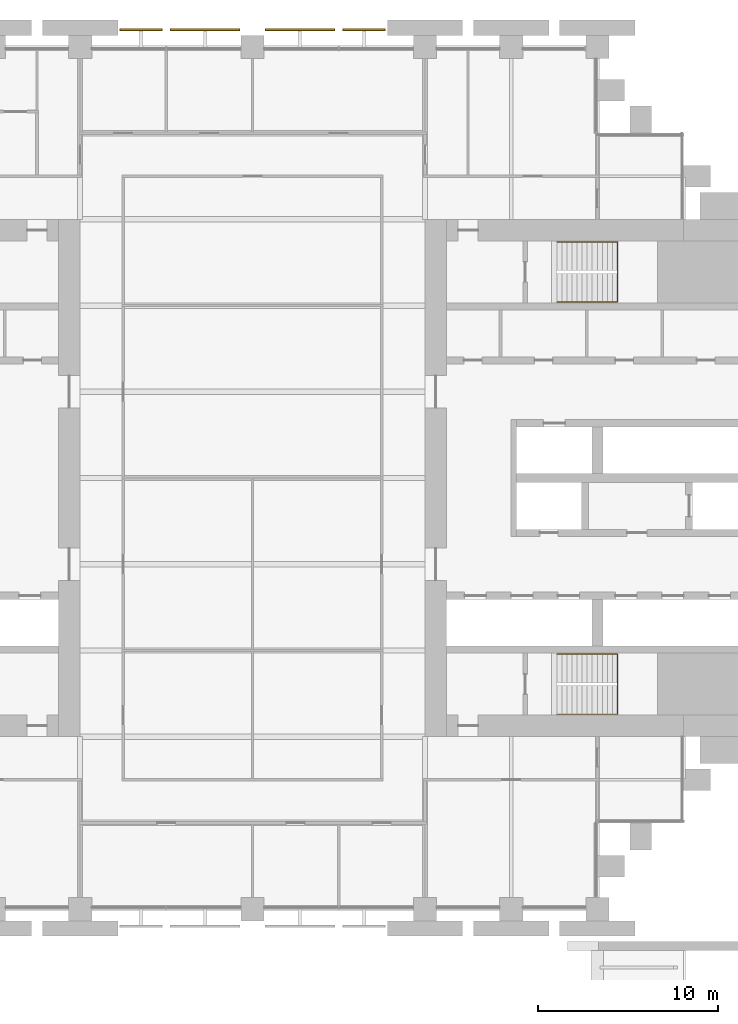
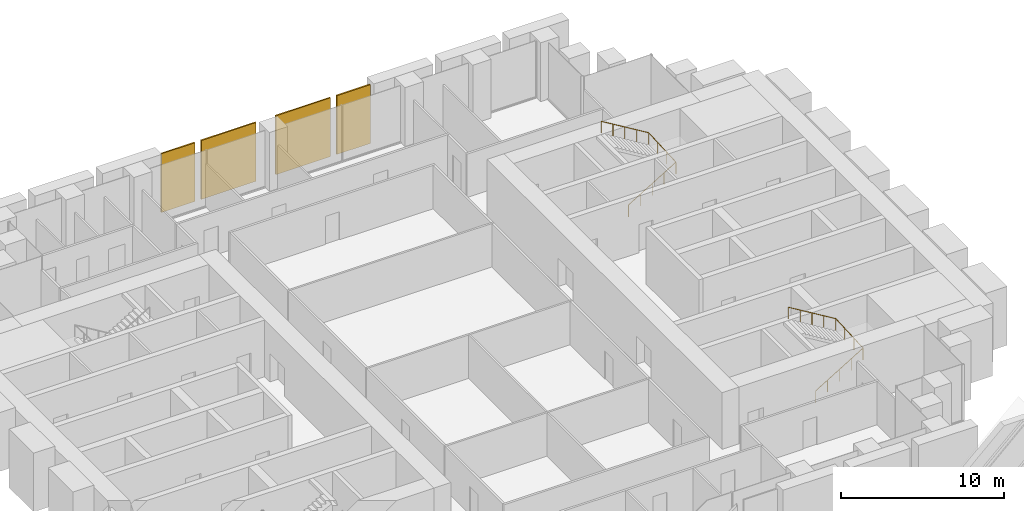
# One storey, part 30 of 30: 4 coverings, 2 railings.
"""IFC4 building model written with IfcOpenShell, lengths in metres."""

from ifc_helpers import new_model, si_unit, direction, frame, origin, origin_2d, place, context, subcontext, project, spatial, polyline, circle, outline, extrude, material, layer, layer_set, type_object, element, save


model = new_model("IFC4")

# Units and contexts
model_context = context("Model", 3, precision=1e-05, world=origin(), true_north=direction((0.0, 1.0)))
body_context = subcontext(model_context, "Body", "Model", "MODEL_VIEW")
ifc_project = project(units=[si_unit("LENGTHUNIT", "METRE"), si_unit("AREAUNIT", "SQUARE_METRE"), si_unit("VOLUMEUNIT", "CUBIC_METRE"), si_unit("PLANEANGLEUNIT", "RADIAN"), si_unit("MASSUNIT", "GRAM", prefix="KILO")], contexts=[model_context])

# Site, building, storey
site_placement = place(None, origin())
site = spatial("IfcSite", under=ifc_project, at=site_placement, CompositionType="ELEMENT")
building_placement = place(site_placement, origin())
building = spatial("IfcBuilding", under=site, at=building_placement, Name="Baori Bourse Tower", CompositionType="ELEMENT")
storey_placement = place(building_placement, frame((0.0, 0.0, 17.0)))
storey = spatial("IfcBuildingStorey", under=building, at=storey_placement, Name="L02", CompositionType="ELEMENT", Elevation=17.0)

# Railings
ifc_material_1 = material(Name="Powder-coated steel balustrade", Category="steel")
railing_type = type_object("IfcRailingType", Name="Core stair handrail", PredefinedType="HANDRAIL", material=ifc_material_1)
railing_1_placement = place(storey_placement, frame((45.75, 10.85009765625, 0.169189453125)))
element("IfcRailing", 1, at=railing_1_placement, inside=storey, type_object=railing_type, Name="L02 ST3 stair handrail 1", PredefinedType="HANDRAIL", context=body_context, shape_type="SweptSolid", body=[
    extrude(circle(Radius=0.02392578125, at=origin_2d()), frame((0.0, 0.0, 0.8759765625), z_axis=(0.855836976705, 0.0, 0.517245656632), x_axis=(0.0, 1.0, 0.0)), (0.0, 0.0, 1.0), 3.926025390625),
    extrude(circle(Radius=0.02392578125, at=origin_2d()), frame((3.360107421875, 0.0, 2.90673828125), z_axis=(0.0, 0.998726980575, 0.050442227064), x_axis=(-1.0, 0.0, 0.0)), (0.0, 0.0, 1.0), 3.35400390625),
    extrude(circle(Radius=0.02392578125, at=origin_2d()), frame((3.360107421875, 3.349853515625, 3.07568359375), z_axis=(-0.855836976705, 0.0, 0.517245656632), x_axis=(0.0, -1.0, 0.0)), (0.0, 0.0, 1.0), 3.926025390625),
    extrude(circle(Radius=0.02099609375, at=origin_2d()), origin(), (0.0, 0.0, 1.0), 0.851806640625),
    extrude(circle(Radius=0.02099609375, at=origin_2d()), frame((0.840087890625, 0.0, 0.5078125)), (0.0, 0.0, 1.0), 0.851806640625),
    extrude(circle(Radius=0.02099609375, at=origin_2d()), frame((1.68017578125, 0.0, 1.015380859375)), (0.0, 0.0, 1.0), 0.851806640625),
    extrude(circle(Radius=0.02099609375, at=origin_2d()), frame((2.52001953125, 0.0, 1.52294921875)), (0.0, 0.0, 1.0), 0.851806640625),
    extrude(circle(Radius=0.02099609375, at=origin_2d()), frame((3.360107421875, 0.0, 2.03076171875)), (0.0, 0.0, 1.0), 0.851806640625),
    extrude(circle(Radius=0.02099609375, at=origin_2d()), frame((3.360107421875, 1.11669921875, 2.087158203125)), (0.0, 0.0, 1.0), 0.851806640625),
    extrude(circle(Radius=0.02099609375, at=origin_2d()), frame((3.360107421875, 2.233154296875, 2.1435546875)), (0.0, 0.0, 1.0), 0.851806640625),
    extrude(circle(Radius=0.02099609375, at=origin_2d()), frame((3.360107421875, 3.349853515625, 2.199951171875)), (0.0, 0.0, 1.0), 0.851806640625),
    extrude(circle(Radius=0.02099609375, at=origin_2d()), frame((2.52001953125, 3.349853515625, 2.70751953125)), (0.0, 0.0, 1.0), 0.851806640625),
    extrude(circle(Radius=0.02099609375, at=origin_2d()), frame((1.68017578125, 3.349853515625, 3.21533203125)), (0.0, 0.0, 1.0), 0.851806640625),
    extrude(circle(Radius=0.02099609375, at=origin_2d()), frame((0.840087890625, 3.349853515625, 3.72314453125)), (0.0, 0.0, 1.0), 0.851806640625),
    extrude(circle(Radius=0.02099609375, at=origin_2d()), frame((0.0, 3.349853515625, 4.230712890625)), (0.0, 0.0, 1.0), 0.851806640625),
])
railing_2_placement = place(storey_placement, frame((45.75, 33.800048828125, 0.169189453125)))
element("IfcRailing", 2, at=railing_2_placement, inside=storey, type_object=railing_type, Name="L02 ST4 stair handrail 1", PredefinedType="HANDRAIL", context=body_context, shape_type="SweptSolid", body=[
    extrude(circle(Radius=0.02392578125, at=origin_2d()), frame((0.0, 0.0, 0.8759765625), z_axis=(0.855836976705, 0.0, 0.517245656632), x_axis=(0.0, 1.0, 0.0)), (0.0, 0.0, 1.0), 3.926025390625),
    extrude(circle(Radius=0.02392578125, at=origin_2d()), frame((3.360107421875, 0.0, 2.90673828125), z_axis=(0.0, 0.998726980575, 0.050442227064), x_axis=(-1.0, 0.0, 0.0)), (0.0, 0.0, 1.0), 3.35400390625),
    extrude(circle(Radius=0.02392578125, at=origin_2d()), frame((3.360107421875, 3.349853515625, 3.07568359375), z_axis=(-0.855836976705, 0.0, 0.517245656632), x_axis=(0.0, -1.0, 0.0)), (0.0, 0.0, 1.0), 3.926025390625),
    extrude(circle(Radius=0.02099609375, at=origin_2d()), origin(), (0.0, 0.0, 1.0), 0.851806640625),
    extrude(circle(Radius=0.02099609375, at=origin_2d()), frame((0.840087890625, 0.0, 0.5078125)), (0.0, 0.0, 1.0), 0.851806640625),
    extrude(circle(Radius=0.02099609375, at=origin_2d()), frame((1.68017578125, 0.0, 1.015380859375)), (0.0, 0.0, 1.0), 0.851806640625),
    extrude(circle(Radius=0.02099609375, at=origin_2d()), frame((2.52001953125, 0.0, 1.52294921875)), (0.0, 0.0, 1.0), 0.851806640625),
    extrude(circle(Radius=0.02099609375, at=origin_2d()), frame((3.360107421875, 0.0, 2.03076171875)), (0.0, 0.0, 1.0), 0.851806640625),
    extrude(circle(Radius=0.02099609375, at=origin_2d()), frame((3.360107421875, 1.11669921875, 2.087158203125)), (0.0, 0.0, 1.0), 0.851806640625),
    extrude(circle(Radius=0.02099609375, at=origin_2d()), frame((3.360107421875, 2.233154296875, 2.1435546875)), (0.0, 0.0, 1.0), 0.851806640625),
    extrude(circle(Radius=0.02099609375, at=origin_2d()), frame((3.360107421875, 3.349853515625, 2.199951171875)), (0.0, 0.0, 1.0), 0.851806640625),
    extrude(circle(Radius=0.02099609375, at=origin_2d()), frame((2.52001953125, 3.349853515625, 2.70751953125)), (0.0, 0.0, 1.0), 0.851806640625),
    extrude(circle(Radius=0.02099609375, at=origin_2d()), frame((1.68017578125, 3.349853515625, 3.21533203125)), (0.0, 0.0, 1.0), 0.851806640625),
    extrude(circle(Radius=0.02099609375, at=origin_2d()), frame((0.840087890625, 3.349853515625, 3.72314453125)), (0.0, 0.0, 1.0), 0.851806640625),
    extrude(circle(Radius=0.02099609375, at=origin_2d()), frame((0.0, 3.349853515625, 4.230712890625)), (0.0, 0.0, 1.0), 0.851806640625),
])

# Coverings
ifc_material_2 = material(Name="Pale anodised aluminium", Category="aluminium")
ifc_layer = layer(ifc_material_2, 0.10009765625)
ifc_layer_set = layer_set([ifc_layer], Name="OS3 Outer skin screen panel")
covering_type = type_object("IfcCoveringType", Name="OS3 Outer skin screen panel", PredefinedType="CLADDING", material=ifc_layer_set)
covering_1_placement = place(storey_placement, frame((0.0, 0.0, -0.159912109375)))
element("IfcCovering", 3, at=covering_1_placement, inside=storey, type_object=covering_type, Name="Outer skin screen L02 1", PredefinedType="CLADDING", context=body_context, shape_type="SweptSolid", body=[
    extrude(outline(polyline([(33.824951171875, 48.89990234375), (36.199951171875, 48.89990234375), (36.199951171875, 49.0), (33.824951171875, 49.0), (33.824951171875, 48.89990234375)])), origin(), (0.0, 0.0, 1.0), 4.39990234375),
])
covering_2_placement = place(storey_placement, frame((0.0, 0.0, -0.159912109375)))
element("IfcCovering", 4, at=covering_2_placement, inside=storey, type_object=covering_type, Name="Outer skin screen L02 2", PredefinedType="CLADDING", context=body_context, shape_type="SweptSolid", body=[
    extrude(outline(polyline([(29.5, 48.89990234375), (33.375, 48.89990234375), (33.375, 49.0), (29.5, 49.0), (29.5, 48.89990234375)])), origin(), (0.0, 0.0, 1.0), 4.39990234375),
])
covering_3_placement = place(storey_placement, frame((0.0, 0.0, -0.159912109375)))
element("IfcCovering", 5, at=covering_3_placement, inside=storey, type_object=covering_type, Name="Outer skin screen L02 3", PredefinedType="CLADDING", context=body_context, shape_type="SweptSolid", body=[
    extrude(outline(polyline([(24.22509765625, 48.89990234375), (28.10009765625, 48.89990234375), (28.10009765625, 49.0), (24.22509765625, 49.0), (24.22509765625, 48.89990234375)])), origin(), (0.0, 0.0, 1.0), 4.39990234375),
])
covering_4_placement = place(storey_placement, frame((0.0, 0.0, -0.159912109375)))
element("IfcCovering", 6, at=covering_4_placement, inside=storey, type_object=covering_type, Name="Outer skin screen L02 4", PredefinedType="CLADDING", context=body_context, shape_type="SweptSolid", body=[
    extrude(outline(polyline([(21.39990234375, 48.89990234375), (23.77490234375, 48.89990234375), (23.77490234375, 49.0), (21.39990234375, 49.0), (21.39990234375, 48.89990234375)])), origin(), (0.0, 0.0, 1.0), 4.39990234375),
])

save(model, "model.ifc")
